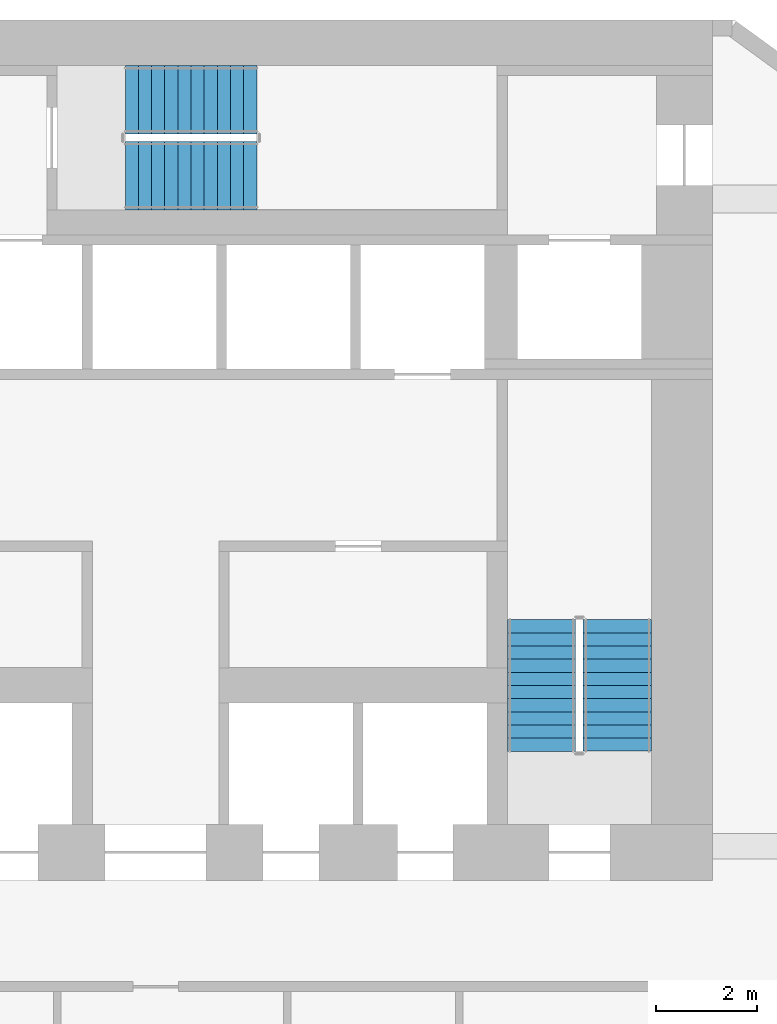
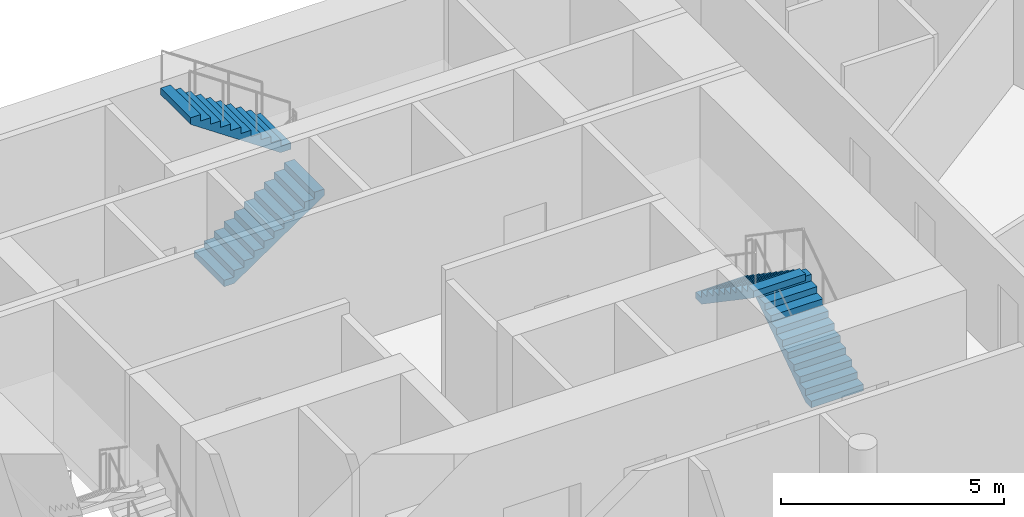
# One storey, part 7 of 9: 4 stair flights, 2 elements without a shape of their own.
"""IFC4 building model written with IfcOpenShell, lengths in metres."""

from ifc_helpers import new_model, si_unit, direction, frame, origin, place, context, subcontext, project, spatial, polyline, outline, extrude, material, layer, layer_set, type_object, element, aggregate, save


model = new_model("IFC4")

# Units and contexts
model_context = context("Model", 3, precision=1e-05, world=origin(), true_north=direction((0.0, 1.0)))
body_context = subcontext(model_context, "Body", "Model", "MODEL_VIEW")
ifc_project = project(units=[si_unit("LENGTHUNIT", "METRE"), si_unit("AREAUNIT", "SQUARE_METRE"), si_unit("VOLUMEUNIT", "CUBIC_METRE"), si_unit("PLANEANGLEUNIT", "RADIAN"), si_unit("MASSUNIT", "GRAM", prefix="KILO")], contexts=[model_context])

# Site, building, storey
site_placement = place(None, origin())
site = spatial("IfcSite", under=ifc_project, at=site_placement, CompositionType="ELEMENT")
building_placement = place(site_placement, origin())
building = spatial("IfcBuilding", under=site, at=building_placement, Name="White Candle Pilgrim Tower", CompositionType="ELEMENT")
storey_placement = place(building_placement, frame((0.0, 0.0, 106.39990234375)))
storey = spatial("IfcBuildingStorey", under=building, at=storey_placement, Name="L23", CompositionType="ELEMENT", Elevation=106.39990234375)

# Stair, stair flights
ifc_material = material(Name="Concrete C40/50", Category="concrete")
stair_type_1 = type_object("IfcStairType", Name="Exit stair 2 flight width 1350 mm", PredefinedType="HALF_TURN_STAIR", material=ifc_material)
stair_1_placement = place(storey_placement, origin())
stair_1 = element("IfcStair", 1, at=stair_1_placement, inside=storey, type_object=stair_type_1, Name="L23 stair 2", PredefinedType="NOTDEFINED")
ifc_layer = layer(ifc_material, 0.14990234375)
ifc_layer_set = layer_set([ifc_layer], Name="Stair flight Concrete C40/50")
stair_flight_type = type_object("IfcStairFlightType", Name="Stair flight Concrete C40/50", PredefinedType="STRAIGHT", material=ifc_layer_set)
stair_flight_1_placement = place(storey_placement, frame((79.125, 73.550048828125, 0.0), z_axis=(0.0, 0.0, 1.0), x_axis=(0.0, 1.0, 0.0)))
stair_flight_1 = element("IfcStairFlight", 2, at=stair_flight_1_placement, type_object=stair_flight_type, Name="ST2 flight 1", NumberOfRisers=11, NumberOfTreads=10, PredefinedType="NOTDEFINED", RiserHeight=0.177272727, TreadLength=0.26, context=body_context, shape_type="SweptSolid", body=[
    extrude(outline(polyline([(0.0, 0.0), (0.0, 0.17724609375), (0.260009765625, 0.17724609375), (0.260009765625, 0.3544921875), (0.52001953125, 0.3544921875), (0.52001953125, 0.53173828125), (0.780029296875, 0.53173828125), (0.780029296875, 0.708984375), (1.0400390625, 0.708984375), (1.0400390625, 0.886474609375), (1.300048828125, 0.886474609375), (1.300048828125, 1.063720703125), (1.56005859375, 1.063720703125), (1.56005859375, 1.240966796875), (1.820068359375, 1.240966796875), (1.820068359375, 1.418212890625), (2.080078125, 1.418212890625), (2.080078125, 1.595458984375), (2.340087890625, 1.595458984375), (2.340087890625, 1.772705078125), (2.60009765625, 1.772705078125), (2.60009765625, 1.949951171875), (2.60009765625, 1.59130859375), (0.26611328125, 0.0), (0.0, 0.0)])), frame((0.0, 0.675048828125, 0.0), z_axis=(0.0, -1.0, 0.0), x_axis=(1.0, 0.0, 0.0)), (0.0, 0.0, 1.0), 1.35009765625),
])
stair_flight_2_placement = place(storey_placement, frame((77.625, 76.14990234375, 1.9501953125), z_axis=(0.0, 0.0, 1.0), x_axis=(0.0, -1.0, 0.0)))
stair_flight_2 = element("IfcStairFlight", 3, at=stair_flight_2_placement, type_object=stair_flight_type, Name="ST2 flight 2", NumberOfRisers=11, NumberOfTreads=10, PredefinedType="NOTDEFINED", RiserHeight=0.177272727, TreadLength=0.26, context=body_context, shape_type="SweptSolid", body=[
    extrude(outline(polyline([(0.0, 0.0), (0.0, 0.17724609375), (0.260009765625, 0.17724609375), (0.260009765625, 0.3544921875), (0.52001953125, 0.3544921875), (0.52001953125, 0.53173828125), (0.780029296875, 0.53173828125), (0.780029296875, 0.708984375), (1.0400390625, 0.708984375), (1.0400390625, 0.886474609375), (1.300048828125, 0.886474609375), (1.300048828125, 1.063720703125), (1.56005859375, 1.063720703125), (1.56005859375, 1.240966796875), (1.820068359375, 1.240966796875), (1.820068359375, 1.418212890625), (2.080078125, 1.418212890625), (2.080078125, 1.595458984375), (2.340087890625, 1.595458984375), (2.340087890625, 1.772705078125), (2.60009765625, 1.772705078125), (2.60009765625, 1.949951171875), (2.60009765625, 1.59130859375), (0.26611328125, 0.0), (0.0, 0.0)])), frame((0.0, 0.675048828125, 0.0), z_axis=(0.0, -1.0, 0.0), x_axis=(1.0, 0.0, 0.0)), (0.0, 0.0, 1.0), 1.35009765625),
])
aggregate(stair_1, [stair_flight_1, stair_flight_2])

stair_type_2 = type_object("IfcStairType", Name="Exit stair 3 flight width 1350 mm", PredefinedType="HALF_TURN_STAIR", material=ifc_material)
stair_2_placement = place(storey_placement, origin())
stair_2 = element("IfcStair", 4, at=stair_2_placement, inside=storey, type_object=stair_type_2, Name="L23 stair 3", PredefinedType="NOTDEFINED")
stair_flight_3_placement = place(storey_placement, frame((69.39990234375, 84.925048828125, 0.0), z_axis=(0.0, 0.0, 1.0), x_axis=(1.0, 0.0, 0.0)))
stair_flight_3 = element("IfcStairFlight", 5, at=stair_flight_3_placement, type_object=stair_flight_type, Name="ST3 flight 1", NumberOfRisers=11, NumberOfTreads=10, PredefinedType="NOTDEFINED", RiserHeight=0.177272727, TreadLength=0.26, context=body_context, shape_type="SweptSolid", body=[
    extrude(outline(polyline([(0.0, 0.0), (0.0, 0.17724609375), (0.260009765625, 0.17724609375), (0.260009765625, 0.3544921875), (0.52001953125, 0.3544921875), (0.52001953125, 0.53173828125), (0.780029296875, 0.53173828125), (0.780029296875, 0.708984375), (1.0400390625, 0.708984375), (1.0400390625, 0.886474609375), (1.300048828125, 0.886474609375), (1.300048828125, 1.063720703125), (1.56005859375, 1.063720703125), (1.56005859375, 1.240966796875), (1.820068359375, 1.240966796875), (1.820068359375, 1.418212890625), (2.080078125, 1.418212890625), (2.080078125, 1.595458984375), (2.340087890625, 1.595458984375), (2.340087890625, 1.772705078125), (2.60009765625, 1.772705078125), (2.60009765625, 1.949951171875), (2.60009765625, 1.59130859375), (0.26611328125, 0.0), (0.0, 0.0)])), frame((0.0, 0.675048828125, 0.0), z_axis=(0.0, -1.0, 0.0), x_axis=(1.0, 0.0, 0.0)), (0.0, 0.0, 1.0), 1.35009765625),
])
stair_flight_4_placement = place(storey_placement, frame((72.0, 86.425048828125, 1.9501953125), z_axis=(0.0, 0.0, 1.0), x_axis=(-1.0, 0.0, 0.0)))
stair_flight_4 = element("IfcStairFlight", 6, at=stair_flight_4_placement, type_object=stair_flight_type, Name="ST3 flight 2", NumberOfRisers=11, NumberOfTreads=10, PredefinedType="NOTDEFINED", RiserHeight=0.177272727, TreadLength=0.26, context=body_context, shape_type="SweptSolid", body=[
    extrude(outline(polyline([(0.0, 0.0), (0.0, 0.17724609375), (0.260009765625, 0.17724609375), (0.260009765625, 0.3544921875), (0.52001953125, 0.3544921875), (0.52001953125, 0.53173828125), (0.780029296875, 0.53173828125), (0.780029296875, 0.708984375), (1.0400390625, 0.708984375), (1.0400390625, 0.886474609375), (1.300048828125, 0.886474609375), (1.300048828125, 1.063720703125), (1.56005859375, 1.063720703125), (1.56005859375, 1.240966796875), (1.820068359375, 1.240966796875), (1.820068359375, 1.418212890625), (2.080078125, 1.418212890625), (2.080078125, 1.595458984375), (2.340087890625, 1.595458984375), (2.340087890625, 1.772705078125), (2.60009765625, 1.772705078125), (2.60009765625, 1.949951171875), (2.60009765625, 1.59130859375), (0.26611328125, 0.0), (0.0, 0.0)])), frame((0.0, 0.675048828125, 0.0), z_axis=(0.0, -1.0, 0.0), x_axis=(1.0, 0.0, 0.0)), (0.0, 0.0, 1.0), 1.35009765625),
])
aggregate(stair_2, [stair_flight_3, stair_flight_4])

save(model, "model.ifc")
